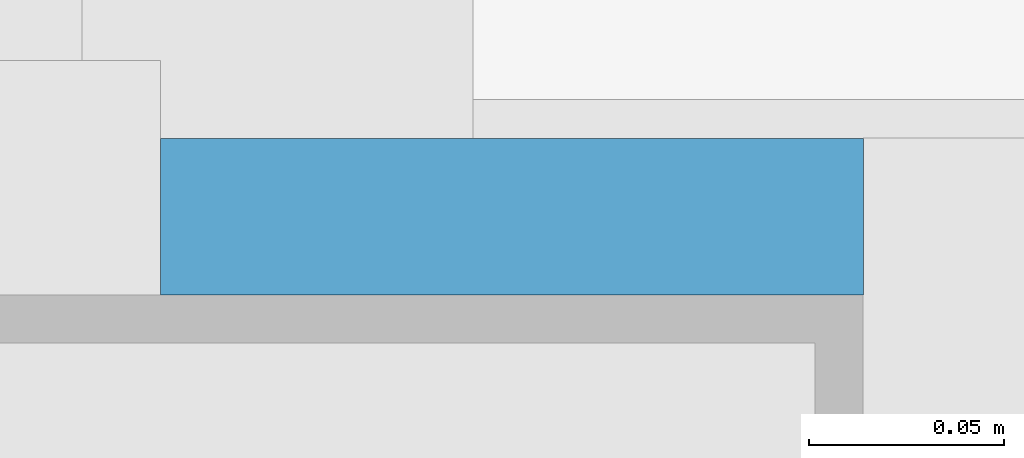
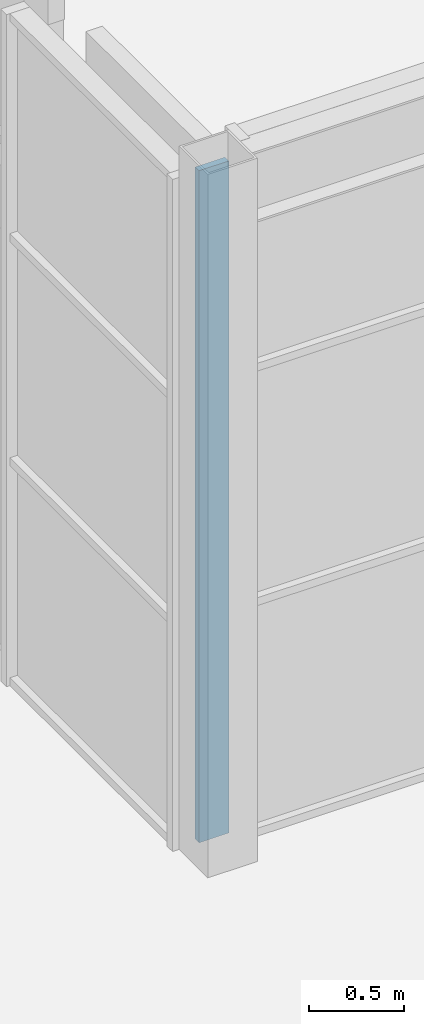
# One storey, part 113 of 168: 1 discrete accessory.
"""IFC4 building model written with IfcOpenShell, lengths in metres."""

from ifc_helpers import new_model, si_unit, direction, frame, origin, origin_2d, place, context, subcontext, project, spatial, rectangle, extrude, material, type_object, element, save


model = new_model("IFC4")

# Units and contexts
model_context = context("Model", 3, precision=1e-05, world=origin(), true_north=direction((0.0, 1.0)))
body_context = subcontext(model_context, "Body", "Model", "MODEL_VIEW")
ifc_project = project(units=[si_unit("LENGTHUNIT", "METRE"), si_unit("AREAUNIT", "SQUARE_METRE"), si_unit("VOLUMEUNIT", "CUBIC_METRE"), si_unit("PLANEANGLEUNIT", "RADIAN"), si_unit("MASSUNIT", "GRAM", prefix="KILO")], contexts=[model_context])

# Site, building, storey
site_placement = place(None, origin())
site = spatial("IfcSite", under=ifc_project, at=site_placement, CompositionType="ELEMENT")
building_placement = place(site_placement, origin())
building = spatial("IfcBuilding", under=site, at=building_placement, Name="Silverbay Arena", CompositionType="ELEMENT")
storey_placement = place(building_placement, frame((0.0, 0.0, 7.0)))
storey = spatial("IfcBuildingStorey", under=building, at=storey_placement, Name="L01", CompositionType="ELEMENT", Elevation=7.0)

# Discrete accessory
ifc_material = material(Name="Steel S355", Category="steel")
discrete_accessory_type = type_object("IfcDiscreteAccessoryType", Name="Steel bracket plate", PredefinedType="BRACKET", material=ifc_material)
discrete_accessory_placement = place(storey_placement, frame((18.760009765625, 54.169921875, 0.0), z_axis=(0.0, 0.0, 1.0), x_axis=(1.0, 0.0, 0.0)))
element("IfcDiscreteAccessory", 1, at=discrete_accessory_placement, inside=storey, type_object=discrete_accessory_type, Name="Glazing corner closer plate", PredefinedType="BRACKET", context=body_context, shape_type="SweptSolid", body=[
    extrude(rectangle(XDim=0.179931640625, YDim=0.0400390625, at=origin_2d()), origin(), (0.0, 0.0, 1.0), 4.300048828125),
])

save(model, "model.ifc")
